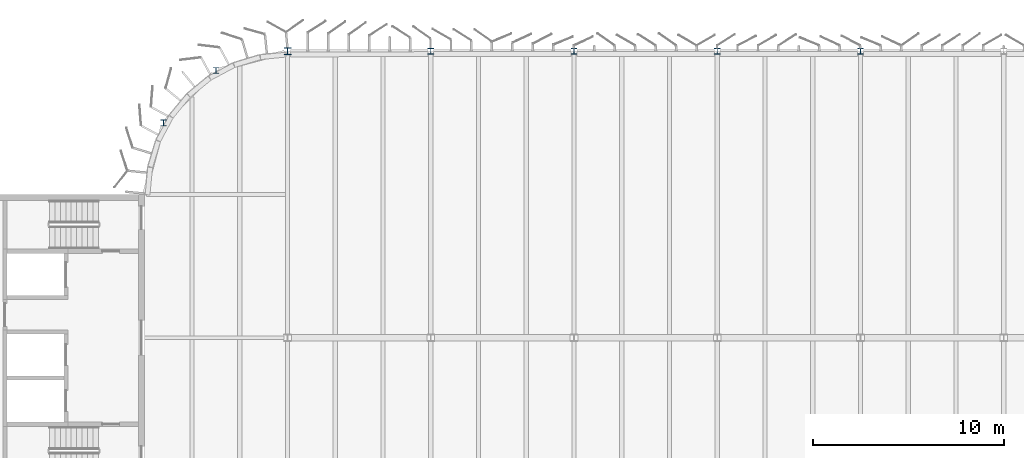
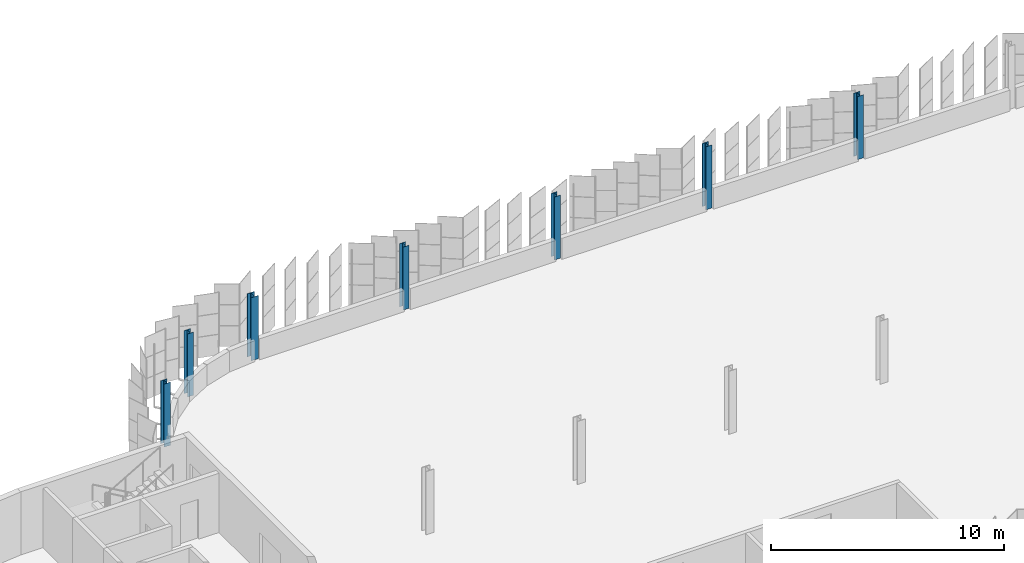
# One storey, part 31 of 214: 7 columns.
"""IFC4 building model written with IfcOpenShell, lengths in metres."""

from ifc_helpers import new_model, si_unit, direction, frame, origin, origin_2d, place, context, subcontext, project, spatial, i_section, extrude, material, material_profile, profile_set, type_object, element, save


model = new_model("IFC4")

# Units and contexts
model_context = context("Model", 3, precision=1e-05, world=origin(), true_north=direction((0.0, 1.0)))
body_context = subcontext(model_context, "Body", "Model", "MODEL_VIEW")
ifc_project = project(units=[si_unit("LENGTHUNIT", "METRE"), si_unit("AREAUNIT", "SQUARE_METRE"), si_unit("VOLUMEUNIT", "CUBIC_METRE"), si_unit("PLANEANGLEUNIT", "RADIAN"), si_unit("MASSUNIT", "GRAM", prefix="KILO")], contexts=[model_context])

# Site, building, storey
site_placement = place(None, origin())
site = spatial("IfcSite", under=ifc_project, at=site_placement, CompositionType="ELEMENT")
building_placement = place(site_placement, origin())
building = spatial("IfcBuilding", under=site, at=building_placement, Name="Parallax Yard Mobility Hub", CompositionType="ELEMENT")
storey_placement = place(building_placement, frame((0.0, 0.0, 3.300048828125)))
storey = spatial("IfcBuildingStorey", under=building, at=storey_placement, Name="L01", CompositionType="ELEMENT", Elevation=3.300048828125)

# Columns
ifc_material = material(Name="Steel ASTM A992", Category="steel")
ifc_material_profile_1 = material_profile(ifc_material, i_section(OverallWidth=0.304931640625, OverallDepth=0.31201171875, WebThickness=0.010986328125, FlangeThickness=0.01708984375, FilletRadius=0.015380859375, at=origin_2d()), Name="W310x107")
ifc_profile_set_1 = profile_set([ifc_material_profile_1], Name="Steel ASTM A992")
column_type_1 = type_object("IfcColumnType", Name="W310x107 column", PredefinedType="COLUMN", material=ifc_profile_set_1)
for number, where, z_axis, x_axis, name in (
    (1, (37.5, 142.5, 0.0), (0.0, 0.0, 1.0), (1.0, 0.0, 0.0), "Column C2 level L01 at V/6 of ramped parking decks"),
    (2, (45.0, 142.5, 0.0), (0.0, 0.0, 1.0), (1.0, 0.0, 0.0), "Column C2 level L01 at V/7 of ramped parking decks"),
    (3, (52.5, 142.5, 0.0), (0.0, 0.0, 1.0), (1.0, 0.0, 0.0), "Column C2 level L01 at V/8 of ramped parking decks"),
    (4, (60.0, 142.5, 0.0), (0.0, 0.0, 1.0), (1.0, 0.0, 0.0), "Column C2 level L01 at V/9 of ramped parking decks"),
):
    element("IfcColumn", number, at=place(storey_placement, frame(where, z_axis=z_axis, x_axis=x_axis)), inside=storey, type_object=column_type_1, Name=name, PredefinedType="COLUMN", context=body_context, shape_type="SweptSolid", body=[
        extrude(i_section(OverallWidth=0.304931640625, OverallDepth=0.31201171875, WebThickness=0.010986328125, FlangeThickness=0.01708984375, FilletRadius=0.015380859375, at=origin_2d()), origin(), (0.0, 0.0, 1.0), 3.300048828125),
    ])
ifc_material_profile_2 = material_profile(ifc_material, i_section(OverallWidth=0.304931640625, OverallDepth=0.306884765625, WebThickness=0.010009765625, FlangeThickness=0.015380859375, FilletRadius=0.01513671875, at=origin_2d()), Name="W310x97")
ifc_profile_set_2 = profile_set([ifc_material_profile_2], Name="Steel ASTM A992")
column_type_2 = type_object("IfcColumnType", Name="W310x97 column", PredefinedType="COLUMN", material=ifc_profile_set_2)
for number, where, z_axis, x_axis, name in (
    (5, (26.25, 141.4951171875, 0.0), (0.0, 0.0, 1.0), (1.0, 0.0, 0.0), "Column C1 level L01 at W-N1 of ramped parking decks"),
    (6, (23.5048828125, 138.75, 0.0), (0.0, 0.0, 1.0), (1.0, 0.0, 0.0), "Column C1 level L01 at W-N2 of ramped parking decks"),
):
    element("IfcColumn", number, at=place(storey_placement, frame(where, z_axis=z_axis, x_axis=x_axis)), inside=storey, type_object=column_type_2, Name=name, PredefinedType="COLUMN", context=body_context, shape_type="SweptSolid", body=[
        extrude(i_section(OverallWidth=0.304931640625, OverallDepth=0.306884765625, WebThickness=0.010009765625, FlangeThickness=0.015380859375, FilletRadius=0.01513671875, at=origin_2d()), origin(), (0.0, 0.0, 1.0), 3.300048828125),
    ])
ifc_material_profile_3 = material_profile(ifc_material, i_section(OverallWidth=0.367919921875, OverallDepth=0.35595703125, WebThickness=0.01123046875, FlangeThickness=0.01806640625, FilletRadius=0.015380859375, at=origin_2d()), Name="W360x134")
ifc_profile_set_3 = profile_set([ifc_material_profile_3], Name="Steel ASTM A992")
column_type_3 = type_object("IfcColumnType", Name="W360x134 column", PredefinedType="COLUMN", material=ifc_profile_set_3)
column_placement = place(storey_placement, frame((30.0, 142.5, 0.0), z_axis=(0.0, 0.0, 1.0), x_axis=(1.0, 0.0, 0.0)))
element("IfcColumn", 7, at=column_placement, inside=storey, type_object=column_type_3, Name="Column C4 level L01 at V/5 of ramped parking decks", PredefinedType="COLUMN", context=body_context, shape_type="SweptSolid", body=[
    extrude(i_section(OverallWidth=0.367919921875, OverallDepth=0.35595703125, WebThickness=0.01123046875, FlangeThickness=0.01806640625, FilletRadius=0.015380859375, at=origin_2d()), origin(), (0.0, 0.0, 1.0), 3.300048828125),
])

save(model, "model.ifc")
